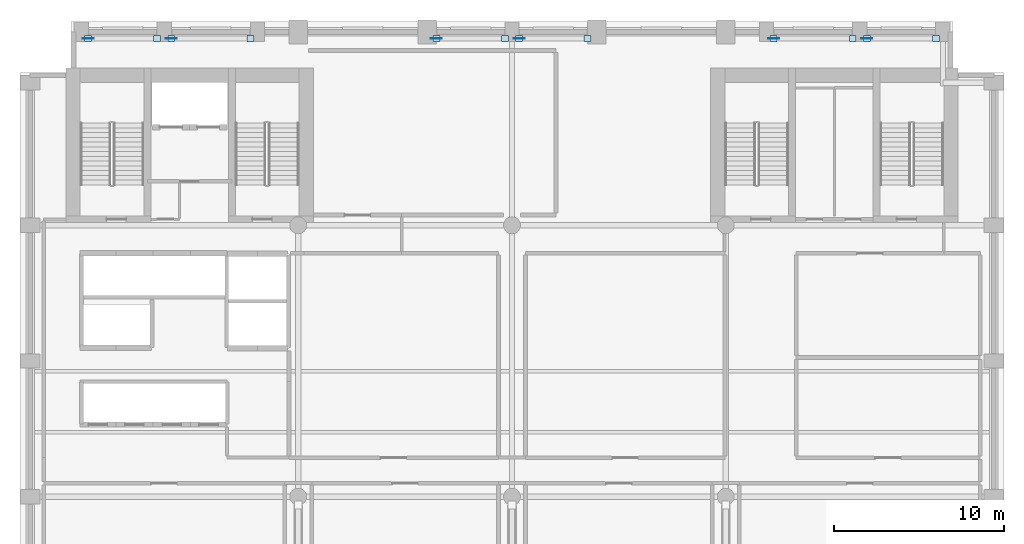
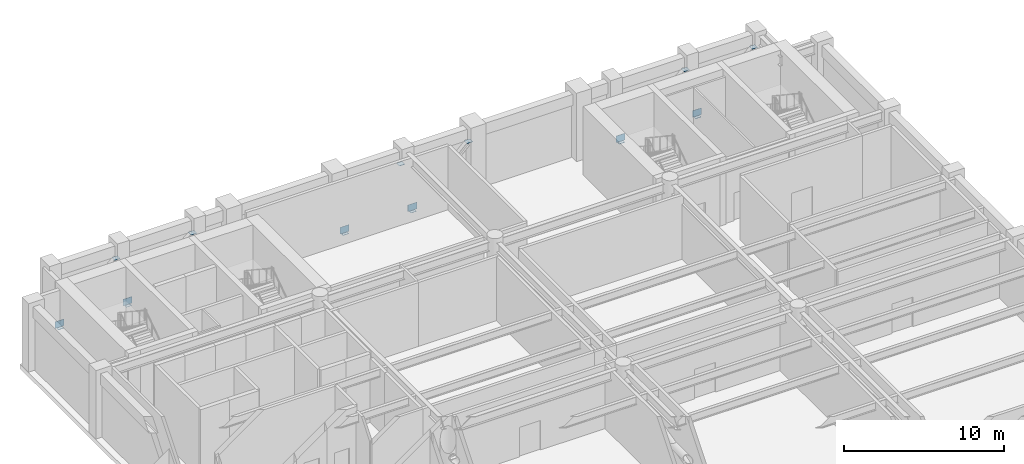
# One storey, part 4 of 11: 18 plates.
"""IFC4 building model written with IfcOpenShell, lengths in metres."""

from ifc_helpers import new_model, si_unit, direction, frame, origin, origin_2d, place, context, subcontext, project, spatial, rectangle, extrude, material, layer, layer_set, type_object, element, save


model = new_model("IFC4")

# Units and contexts
model_context = context("Model", 3, precision=1e-05, world=origin(), true_north=direction((0.0, 1.0)))
body_context = subcontext(model_context, "Body", "Model", "MODEL_VIEW")
ifc_project = project(units=[si_unit("LENGTHUNIT", "METRE"), si_unit("AREAUNIT", "SQUARE_METRE"), si_unit("VOLUMEUNIT", "CUBIC_METRE"), si_unit("PLANEANGLEUNIT", "RADIAN"), si_unit("MASSUNIT", "GRAM", prefix="KILO")], contexts=[model_context])

# Site, building, storey
site_placement = place(None, origin())
site = spatial("IfcSite", under=ifc_project, at=site_placement, CompositionType="ELEMENT")
building_placement = place(site_placement, origin())
building = spatial("IfcBuilding", under=site, at=building_placement, Name="Sulina Concourse Tower", CompositionType="ELEMENT")
storey_placement = place(building_placement, frame((0.0, 0.0, 82.60009765625)))
storey = spatial("IfcBuildingStorey", under=building, at=storey_placement, Name="L20", CompositionType="ELEMENT", Elevation=82.60009765625)

# Plates
ifc_material_1 = material(Name="Steel S355", Category="steel")
ifc_layer_1 = layer(ifc_material_1, 0.02490234375)
ifc_layer_set_1 = layer_set([ifc_layer_1], Name="Steel S355")
plate_type_1 = type_object("IfcPlateType", Name="Belt Truss Node Gusset Plate 25mm", PredefinedType="USERDEFINED", material=ifc_layer_set_1)
for number, where, z_axis, x_axis, name in (
    (1, (4.014892578125, 45.02001953125, 0.199951171875), (0.0, 0.0, 1.0), (1.0, 0.0, 0.0), "BLT-N1-L20 node gusset plate"),
    (2, (8.9150390625, 45.02001953125, 0.199951171875), (0.0, 0.0, 1.0), (1.0, 0.0, 0.0), "BLT-N2-L20 node gusset plate"),
    (3, (24.5400390625, 45.02001953125, 0.199951171875), (0.0, 0.0, 1.0), (1.0, 0.0, 0.0), "BLT-N3-L20 node gusset plate"),
    (4, (29.4150390625, 45.02001953125, 0.199951171875), (0.0, 0.0, 1.0), (1.0, 0.0, 0.0), "BLT-N4-L20 node gusset plate"),
    (5, (44.4150390625, 45.02001953125, 0.199951171875), (0.0, 0.0, 1.0), (1.0, 0.0, 0.0), "BLT-N5-L20 node gusset plate"),
    (6, (49.9150390625, 45.02001953125, 0.199951171875), (0.0, 0.0, 1.0), (1.0, 0.0, 0.0), "BLT-N6-L20 node gusset plate"),
):
    element("IfcPlate", number, at=place(storey_placement, frame(where, z_axis=z_axis, x_axis=x_axis)), inside=storey, type_object=plate_type_1, Name=name, ObjectType="GUSSET_PLATE", PredefinedType="USERDEFINED", context=body_context, shape_type="SweptSolid", body=[
        extrude(rectangle(XDim=0.64990234375, YDim=0.02490234375, at=origin_2d()), origin(), (0.0, 0.0, 1.0), 0.5),
    ])
ifc_material_2 = material(Name="Steel S355", Category="steel")
ifc_layer_2 = layer(ifc_material_2, 0.02001953125)
ifc_layer_set_2 = layer_set([ifc_layer_2], Name="Steel S355")
plate_type_2 = type_object("IfcPlateType", Name="Upper Hollow Brace End-Cap Plate 20mm", PredefinedType="USERDEFINED", material=ifc_layer_set_2)
for number, where, z_axis, x_axis, name in (
    (7, (4.014892578125, 45.02001953125, 0.139892578125), (0.0, 0.0, 1.0), (1.0, 0.0, 0.0), "BLT-N1-L20 end cap plate 1"),
    (8, (8.0849609375, 45.02001953125, 4.010009765625), (0.0, 0.0, 1.0), (1.0, 0.0, 0.0), "BLT-N1-L20 end cap plate 2"),
    (9, (8.9150390625, 45.02001953125, 0.139892578125), (0.0, 0.0, 1.0), (1.0, 0.0, 0.0), "BLT-N2-L20 end cap plate 1"),
    (10, (13.5849609375, 45.02001953125, 4.010009765625), (0.0, 0.0, 1.0), (1.0, 0.0, 0.0), "BLT-N2-L20 end cap plate 2"),
    (11, (24.5400390625, 45.02001953125, 0.139892578125), (0.0, 0.0, 1.0), (1.0, 0.0, 0.0), "BLT-N3-L20 end cap plate 1"),
    (12, (28.5849609375, 45.02001953125, 4.010009765625), (0.0, 0.0, 1.0), (1.0, 0.0, 0.0), "BLT-N3-L20 end cap plate 2"),
    (13, (29.4150390625, 45.02001953125, 0.139892578125), (0.0, 0.0, 1.0), (1.0, 0.0, 0.0), "BLT-N4-L20 end cap plate 1"),
    (14, (33.4599609375, 45.02001953125, 4.010009765625), (0.0, 0.0, 1.0), (1.0, 0.0, 0.0), "BLT-N4-L20 end cap plate 2"),
    (15, (44.4150390625, 45.02001953125, 0.139892578125), (0.0, 0.0, 1.0), (1.0, 0.0, 0.0), "BLT-N5-L20 end cap plate 1"),
    (16, (49.0849609375, 45.02001953125, 4.010009765625), (0.0, 0.0, 1.0), (1.0, 0.0, 0.0), "BLT-N5-L20 end cap plate 2"),
    (17, (49.9150390625, 45.02001953125, 0.139892578125), (0.0, 0.0, 1.0), (1.0, 0.0, 0.0), "BLT-N6-L20 end cap plate 1"),
    (18, (53.985107421875, 45.02001953125, 4.010009765625), (0.0, 0.0, 1.0), (1.0, 0.0, 0.0), "BLT-N6-L20 end cap plate 2"),
):
    element("IfcPlate", number, at=place(storey_placement, frame(where, z_axis=z_axis, x_axis=x_axis)), inside=storey, type_object=plate_type_2, Name=name, ObjectType="CAP_PLATE", PredefinedType="USERDEFINED", context=body_context, shape_type="SweptSolid", body=[
        extrude(rectangle(XDim=0.409912109375, YDim=0.360107421875, at=origin_2d()), origin(), (0.0, 0.0, 1.0), 0.02001953125),
    ])

save(model, "model.ifc")
